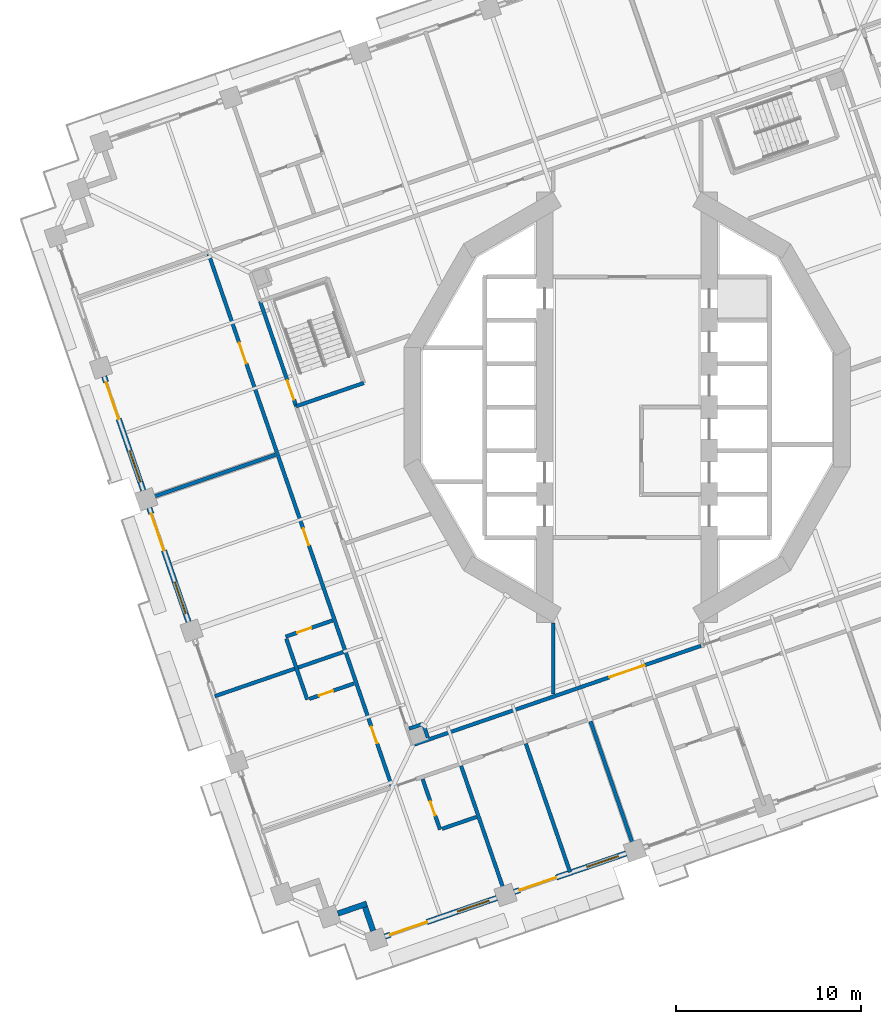
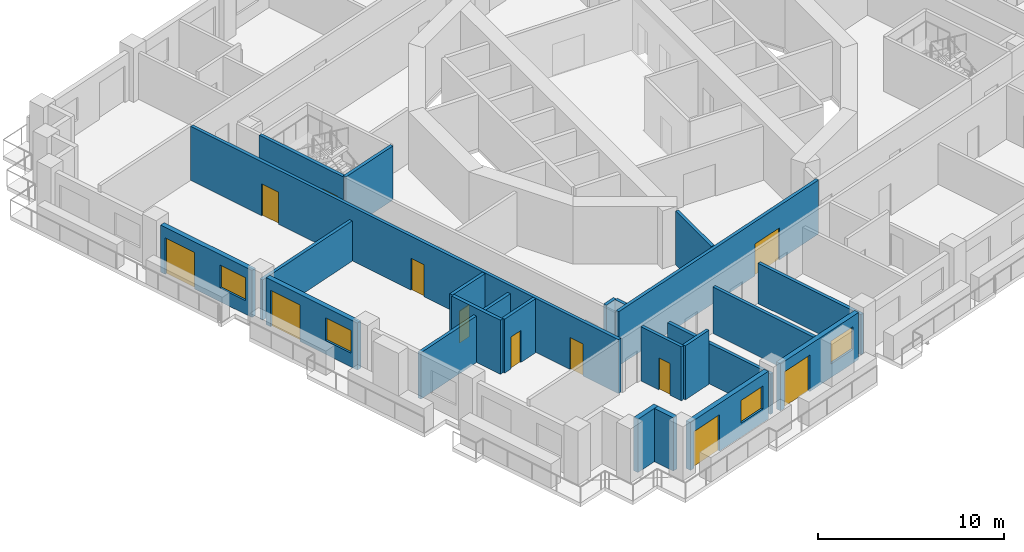
# One storey, part 7 of 19: 23 walls, 12 doors, 4 windows, 16 openings.
"""IFC4 building model written with IfcOpenShell, lengths in metres."""

from ifc_helpers import new_model, si_unit, direction, frame, frame_2d, origin, place, context, subcontext, project, spatial, rectangle, extrude, material, layer, layer_set, type_object, element, fill, save


model = new_model("IFC4")

# Units and contexts
model_context = context("Model", 3, precision=1e-05, world=origin(), true_north=direction((0.0, 1.0)))
body_context = subcontext(model_context, "Body", "Model", "MODEL_VIEW")
ifc_project = project(units=[si_unit("LENGTHUNIT", "METRE"), si_unit("AREAUNIT", "SQUARE_METRE"), si_unit("VOLUMEUNIT", "CUBIC_METRE"), si_unit("PLANEANGLEUNIT", "RADIAN"), si_unit("MASSUNIT", "GRAM", prefix="KILO")], contexts=[model_context])

# Site, building, storey
site_placement = place(None, origin())
site = spatial("IfcSite", under=ifc_project, at=site_placement, CompositionType="ELEMENT")
building_placement = place(site_placement, origin())
building = spatial("IfcBuilding", under=site, at=building_placement, Name="Cantera Rosa Tower", CompositionType="ELEMENT")
storey_placement = place(building_placement, frame((0.0, 0.0, 130.699951171875)))
storey = spatial("IfcBuildingStorey", under=building, at=storey_placement, Name="L27", CompositionType="ELEMENT", Elevation=130.699951171875)

# Wall, openings, doors
ifc_material_1 = material(Name="Gypsum board partition")
ifc_layer_1 = layer(ifc_material_1, 0.199951171875)
ifc_layer_set_1 = layer_set([ifc_layer_1], Name="CORRIDOR WALL 200 H3550")
wall_type_1 = type_object("IfcWallType", Name="CORRIDOR WALL 200 H3550", PredefinedType="PARTITIONING", material=ifc_layer_set_1)
wall_1_placement = place(storey_placement, frame((-22.6298828125, 8.28369140625, 0.0), z_axis=(0.0, 0.0, 1.0), x_axis=(0.325570542196, -0.945517753431, 0.0)))
wall_1 = element("IfcWall", 1, at=wall_1_placement, inside=storey, type_object=wall_type_1, Name="CORRIDOR WALL L27-002", PredefinedType="PARTITIONING", context=body_context, shape_type="SweptSolid", body=[
    extrude(rectangle(XDim=30.5, YDim=0.199951171875, at=frame_2d((15.25, 0.0))), origin(), (0.0, 0.0, 1.0), 3.550048828125),
])
opening_1_placement = place(wall_1_placement, frame((5.070068359375, 0.0, 0.0)))
opening_1 = element("IfcOpeningElement", 2, at=opening_1_placement, cuts=wall_1, Name="Opening L27-027", PredefinedType="OPENING", context=body_context, shape_type="SweptSolid", body=[
    extrude(rectangle(XDim=1.199951171875, YDim=2.10009765625, at=frame_2d((0.60009765625, 1.050048828125))), frame((0.0, 0.10986328125, 0.0), z_axis=(0.0, -1.0, 0.0), x_axis=(1.0, 0.0, 0.0)), (0.0, 0.0, 1.0), 0.219970703125),
])
opening_2_placement = place(wall_1_placement, frame((15.705078125, 0.0, 0.0)))
opening_2 = element("IfcOpeningElement", 3, at=opening_2_placement, cuts=wall_1, Name="Opening L27-028", PredefinedType="OPENING", context=body_context, shape_type="SweptSolid", body=[
    extrude(rectangle(XDim=0.949951171875, YDim=2.10009765625, at=frame_2d((0.47509765625, 1.050048828125))), frame((0.0, 0.10986328125, 0.0), z_axis=(0.0, -1.0, 0.0), x_axis=(1.0, 0.0, 0.0)), (0.0, 0.0, 1.0), 0.219970703125),
])
opening_3_placement = place(wall_1_placement, frame((27.034912109375, 0.0, 0.0)))
opening_3 = element("IfcOpeningElement", 4, at=opening_3_placement, cuts=wall_1, Name="Opening L27-030", PredefinedType="OPENING", context=body_context, shape_type="SweptSolid", body=[
    extrude(rectangle(XDim=0.949951171875, YDim=2.10009765625, at=frame_2d((0.47509765625, 1.050048828125))), frame((0.0, 0.10986328125, 0.0), z_axis=(0.0, -1.0, 0.0), x_axis=(1.0, 0.0, 0.0)), (0.0, 0.0, 1.0), 0.219970703125),
])
ifc_material_2 = material(Name="Timber door leaf", Category="wood")
door_type_1 = type_object("IfcDoorType", Name="ROOM DOOR 1200x2100", OperationType="NOTDEFINED", PredefinedType="DOOR", material=ifc_material_2)
door_1_placement = place(opening_1_placement, origin())
door_1 = element("IfcDoor", 5, at=door_1_placement, inside=storey, type_object=door_type_1, Name="DOOR L27-027", OperationType="NOTDEFINED", OverallHeight=2.10009765625, OverallWidth=1.199951171875, PredefinedType="DOOR", context=body_context, shape_type="SweptSolid", body=[
    extrude(rectangle(XDim=1.199951171875, YDim=2.10009765625, at=frame_2d((0.60009765625, 1.050048828125))), frame((0.0, 0.02490234375, 0.0), z_axis=(0.0, -1.0, 0.0), x_axis=(1.0, 0.0, 0.0)), (0.0, 0.0, 1.0), 0.050048828125),
])
fill(opening_1, door_1)
ifc_material_3 = material(Name="Timber door leaf", Category="wood")
door_type_2 = type_object("IfcDoorType", Name="ROOM DOOR 950x2100", OperationType="NOTDEFINED", PredefinedType="DOOR", material=ifc_material_3)
door_2_placement = place(opening_2_placement, origin())
door_2 = element("IfcDoor", 6, at=door_2_placement, inside=storey, type_object=door_type_2, Name="DOOR L27-028", OperationType="NOTDEFINED", OverallHeight=2.10009765625, OverallWidth=0.949951171875, PredefinedType="DOOR", context=body_context, shape_type="SweptSolid", body=[
    extrude(rectangle(XDim=0.949951171875, YDim=2.10009765625, at=frame_2d((0.47509765625, 1.050048828125))), frame((0.0, 0.02490234375, 0.0), z_axis=(0.0, -1.0, 0.0), x_axis=(1.0, 0.0, 0.0)), (0.0, 0.0, 1.0), 0.050048828125),
])
fill(opening_2, door_2)
door_3_placement = place(opening_3_placement, origin())
door_3 = element("IfcDoor", 7, at=door_3_placement, inside=storey, type_object=door_type_2, Name="DOOR L27-030", OperationType="NOTDEFINED", OverallHeight=2.10009765625, OverallWidth=0.949951171875, PredefinedType="DOOR", context=body_context, shape_type="SweptSolid", body=[
    extrude(rectangle(XDim=0.949951171875, YDim=2.10009765625, at=frame_2d((0.47509765625, 1.050048828125))), frame((0.0, 0.02490234375, 0.0), z_axis=(0.0, -1.0, 0.0), x_axis=(1.0, 0.0, 0.0)), (0.0, 0.0, 1.0), 0.050048828125),
])
fill(opening_3, door_3)

# Wall, opening, door
wall_2_placement = place(storey_placement, frame((-11.489501953125, -18.23388671875, 0.0), z_axis=(0.0, 0.0, 1.0), x_axis=(0.945522545762, 0.325556624039, 0.0)))
wall_2 = element("IfcWall", 8, at=wall_2_placement, inside=storey, type_object=wall_type_1, Name="CORRIDOR WALL L27-023", PredefinedType="PARTITIONING", context=body_context, shape_type="SweptSolid", body=[
    extrude(rectangle(XDim=16.3818359375, YDim=0.199951171875, at=frame_2d((8.19091796875, 0.0))), origin(), (0.0, 0.0, 1.0), 3.550048828125),
])
opening_4_placement = place(wall_2_placement, frame((11.151611328125, 0.0, 0.0)))
opening_4 = element("IfcOpeningElement", 9, at=opening_4_placement, cuts=wall_2, Name="Opening L27-011", PredefinedType="OPENING", context=body_context, shape_type="SweptSolid", body=[
    extrude(rectangle(XDim=2.0, YDim=2.10009765625, at=frame_2d((1.0, 1.050048828125))), frame((0.0, 0.10986328125, 0.0), z_axis=(0.0, -1.0, 0.0), x_axis=(1.0, 0.0, 0.0)), (0.0, 0.0, 1.0), 0.219970703125),
])
ifc_material_4 = material(Name="Steel S355J2 (EN 10025-2)", Category="steel")
door_type_3 = type_object("IfcDoorType", Name="LOBBY SCREEN DOOR 2000x2100", OperationType="NOTDEFINED", PredefinedType="DOOR", material=ifc_material_4)
door_4_placement = place(opening_4_placement, origin())
door_4 = element("IfcDoor", 10, at=door_4_placement, inside=storey, type_object=door_type_3, Name="DOOR L27-011", OperationType="NOTDEFINED", OverallHeight=2.10009765625, OverallWidth=2.0, PredefinedType="DOOR", context=body_context, shape_type="SweptSolid", body=[
    extrude(rectangle(XDim=2.0, YDim=2.10009765625, at=frame_2d((1.0, 1.050048828125))), frame((0.0, 0.02490234375, 0.0), z_axis=(0.0, -1.0, 0.0), x_axis=(1.0, 0.0, 0.0)), (0.0, 0.0, 1.0), 0.050048828125),
])
fill(opening_4, door_4)

# Walls
wall_3_placement = place(storey_placement, frame((-4.0, -11.667236328125, 0.0), z_axis=(0.0, 0.0, 1.0), x_axis=(0.0, -1.0, 0.0)))
element("IfcWall", 11, at=wall_3_placement, inside=storey, type_object=wall_type_1, Name="CORRIDOR WALL L27-042", PredefinedType="PARTITIONING", context=body_context, shape_type="SweptSolid", body=[
    extrude(rectangle(XDim=3.847900390625, YDim=0.199951171875, at=frame_2d((1.923828125, 0.0))), origin(), (0.0, 0.0, 1.0), 3.550048828125),
])
ifc_material_5 = material(Name="Hollow clay masonry with cantera stone cladding", Category="masonry")
ifc_layer_2 = layer(ifc_material_5, 0.300048828125)
ifc_layer_set_2 = layer_set([ifc_layer_2], Name="EW-LOGGIA 300")
wall_type_2 = type_object("IfcWallType", Name="EW-LOGGIA 300", PredefinedType="SOLIDWALL", material=ifc_layer_set_2)
wall_4_placement = place(storey_placement, frame((-15.636962890625, -27.3828125, 0.0), z_axis=(0.0, 0.0, 1.0), x_axis=(0.945484566827, 0.325666906351, 0.0)))
element("IfcWall", 12, at=wall_4_placement, inside=storey, type_object=wall_type_2, Name="EN-L27-W22a", PredefinedType="SOLIDWALL", context=body_context, shape_type="SweptSolid", body=[
    extrude(rectangle(XDim=1.64990234375, YDim=0.300048828125, at=frame_2d((0.824951171875, 0.0))), origin(), (0.0, 0.0, 1.0), 3.5),
])
wall_5_placement = place(storey_placement, frame((-14.169921875, -27.0361328125, 0.0), z_axis=(0.0, 0.0, 1.0), x_axis=(0.325650742363, -0.945490134268, 0.0)))
element("IfcWall", 13, at=wall_5_placement, inside=storey, type_object=wall_type_2, Name="EN-L27-W22b", PredefinedType="SOLIDWALL", context=body_context, shape_type="SweptSolid", body=[
    extrude(rectangle(XDim=1.35009765625, YDim=0.300048828125, at=frame_2d((0.675048828125, 0.0))), origin(), (0.0, 0.0, 1.0), 3.5),
])

# Wall, openings, window, door
ifc_material_6 = material(Name="Hollow clay masonry with cantera stone cladding", Category="masonry")
ifc_layer_3 = layer(ifc_material_6, 0.300048828125)
ifc_layer_set_3 = layer_set([ifc_layer_3], Name="EW-LOGGIA 300 H3090")
wall_type_3 = type_object("IfcWallType", Name="EW-LOGGIA 300 H3090", PredefinedType="SOLIDWALL", material=ifc_layer_set_3)
wall_6_placement = place(storey_placement, frame((-28.2822265625, 1.662841796875, 0.0), z_axis=(0.0, 0.0, 1.0), x_axis=(0.325580990241, -0.945514155787, 0.0)))
wall_6 = element("IfcWall", 14, at=wall_6_placement, inside=storey, type_object=wall_type_3, Name="EN-L27-W17", PredefinedType="SOLIDWALL", context=body_context, shape_type="SweptSolid", body=[
    extrude(rectangle(XDim=6.52001953125, YDim=0.300048828125, at=frame_2d((3.260009765625, 0.0))), origin(), (0.0, 0.0, 1.0), 3.090087890625),
])
opening_5_placement = place(wall_6_placement, frame((0.330078125, 0.0, 0.0)))
opening_5 = element("IfcOpeningElement", 15, at=opening_5_placement, cuts=wall_6, Name="Opening L27-TD21", PredefinedType="OPENING", context=body_context, shape_type="SweptSolid", body=[
    extrude(rectangle(XDim=2.10009765625, YDim=2.39990234375, at=frame_2d((1.050048828125, 1.199951171875))), frame((0.0, 0.159912109375, 0.0), z_axis=(0.0, -1.0, 0.0), x_axis=(1.0, 0.0, 0.0)), (0.0, 0.0, 1.0), 0.320068359375),
])
opening_6_placement = place(wall_6_placement, frame((4.239990234375, 0.0, 0.89990234375)))
opening_6 = element("IfcOpeningElement", 16, at=opening_6_placement, cuts=wall_6, Name="Opening L27-W22", PredefinedType="OPENING", context=body_context, shape_type="SweptSolid", body=[
    extrude(rectangle(XDim=1.800048828125, YDim=1.5, at=frame_2d((0.89990234375, 0.75))), frame((0.0, 0.159912109375, 0.0), z_axis=(0.0, -1.0, 0.0), x_axis=(1.0, 0.0, 0.0)), (0.0, 0.0, 1.0), 0.320068359375),
])
ifc_material_7 = material(Name="Aluminium frame with clear glass", Category="aluminium")
window_type = type_object("IfcWindowType", Name="Hotel room window 1800x1500", PartitioningType="DOUBLE_PANEL_VERTICAL", PredefinedType="WINDOW", material=ifc_material_7)
window_1_placement = place(opening_6_placement, origin())
window_1 = element("IfcWindow", 17, at=window_1_placement, inside=storey, type_object=window_type, Name="WINDOW L27-W22", OverallHeight=1.5, OverallWidth=1.800048828125, PartitioningType="SINGLE_PANEL", PredefinedType="WINDOW", context=body_context, shape_type="SweptSolid", body=[
    extrude(rectangle(XDim=1.800048828125, YDim=1.5, at=frame_2d((0.89990234375, 0.75))), frame((0.0, 0.030029296875, 0.0), z_axis=(0.0, -1.0, 0.0), x_axis=(1.0, 0.0, 0.0)), (0.0, 0.0, 1.0), 0.06005859375),
])
fill(opening_6, window_1)
ifc_material_8 = material(Name="Aluminium frame with clear glass", Category="aluminium")
door_type_4 = type_object("IfcDoorType", Name="TD-H 2100x2400", OperationType="NOTDEFINED", PredefinedType="DOOR", material=ifc_material_8)
door_5_placement = place(opening_5_placement, origin())
door_5 = element("IfcDoor", 18, at=door_5_placement, inside=storey, type_object=door_type_4, Name="LOGGIA DOOR L27-TD21", OperationType="SLIDING_TO_LEFT", OverallHeight=2.39990234375, OverallWidth=2.10009765625, PredefinedType="DOOR", context=body_context, shape_type="SweptSolid", body=[
    extrude(rectangle(XDim=2.10009765625, YDim=2.39990234375, at=frame_2d((1.050048828125, 1.199951171875))), frame((0.0, 0.02490234375, 0.0), z_axis=(0.0, -1.0, 0.0), x_axis=(1.0, 0.0, 0.0)), (0.0, 0.0, 1.0), 0.050048828125),
])
fill(opening_5, door_5)

wall_7_placement = place(storey_placement, frame((-25.833984375, -5.447509765625, 0.0), z_axis=(0.0, 0.0, 1.0), x_axis=(0.325580990241, -0.945514155787, 0.0)))
wall_7 = element("IfcWall", 19, at=wall_7_placement, inside=storey, type_object=wall_type_3, Name="EN-L27-W18", PredefinedType="SOLIDWALL", context=body_context, shape_type="SweptSolid", body=[
    extrude(rectangle(XDim=6.52001953125, YDim=0.300048828125, at=frame_2d((3.260009765625, 0.0))), origin(), (0.0, 0.0, 1.0), 3.090087890625),
])
opening_7_placement = place(wall_7_placement, frame((0.330078125, 0.0, 0.0)))
opening_7 = element("IfcOpeningElement", 20, at=opening_7_placement, cuts=wall_7, Name="Opening L27-TD23", PredefinedType="OPENING", context=body_context, shape_type="SweptSolid", body=[
    extrude(rectangle(XDim=2.10009765625, YDim=2.39990234375, at=frame_2d((1.050048828125, 1.199951171875))), frame((0.0, 0.159912109375, 0.0), z_axis=(0.0, -1.0, 0.0), x_axis=(1.0, 0.0, 0.0)), (0.0, 0.0, 1.0), 0.320068359375),
])
opening_8_placement = place(wall_7_placement, frame((4.239990234375, 0.0, 0.89990234375)))
opening_8 = element("IfcOpeningElement", 21, at=opening_8_placement, cuts=wall_7, Name="Opening L27-W24", PredefinedType="OPENING", context=body_context, shape_type="SweptSolid", body=[
    extrude(rectangle(XDim=1.800048828125, YDim=1.5, at=frame_2d((0.89990234375, 0.75))), frame((0.0, 0.159912109375, 0.0), z_axis=(0.0, -1.0, 0.0), x_axis=(1.0, 0.0, 0.0)), (0.0, 0.0, 1.0), 0.320068359375),
])
window_2_placement = place(opening_8_placement, origin())
window_2 = element("IfcWindow", 22, at=window_2_placement, inside=storey, type_object=window_type, Name="WINDOW L27-W24", OverallHeight=1.5, OverallWidth=1.800048828125, PartitioningType="SINGLE_PANEL", PredefinedType="WINDOW", context=body_context, shape_type="SweptSolid", body=[
    extrude(rectangle(XDim=1.800048828125, YDim=1.5, at=frame_2d((0.89990234375, 0.75))), frame((0.0, 0.030029296875, 0.0), z_axis=(0.0, -1.0, 0.0), x_axis=(1.0, 0.0, 0.0)), (0.0, 0.0, 1.0), 0.06005859375),
])
fill(opening_8, window_2)
door_6_placement = place(opening_7_placement, origin())
door_6 = element("IfcDoor", 23, at=door_6_placement, inside=storey, type_object=door_type_4, Name="LOGGIA DOOR L27-TD23", OperationType="SLIDING_TO_LEFT", OverallHeight=2.39990234375, OverallWidth=2.10009765625, PredefinedType="DOOR", context=body_context, shape_type="SweptSolid", body=[
    extrude(rectangle(XDim=2.10009765625, YDim=2.39990234375, at=frame_2d((1.050048828125, 1.199951171875))), frame((0.0, 0.02490234375, 0.0), z_axis=(0.0, -1.0, 0.0), x_axis=(1.0, 0.0, 0.0)), (0.0, 0.0, 1.0), 0.050048828125),
])
fill(opening_7, door_6)

wall_8_placement = place(storey_placement, frame((-6.097900390625, -26.21337890625, 0.0), z_axis=(0.0, 0.0, 1.0), x_axis=(0.945524496524, 0.325550958337, 0.0)))
wall_8 = element("IfcWall", 24, at=wall_8_placement, inside=storey, type_object=wall_type_3, Name="EN-L27-W24", PredefinedType="SOLIDWALL", context=body_context, shape_type="SweptSolid", body=[
    extrude(rectangle(XDim=6.39990234375, YDim=0.300048828125, at=frame_2d((3.199951171875, 0.0))), origin(), (0.0, 0.0, 1.0), 3.090087890625),
])
opening_9_placement = place(wall_8_placement, frame((0.300048828125, 0.0, 0.0)))
opening_9 = element("IfcOpeningElement", 25, at=opening_9_placement, cuts=wall_8, Name="Opening L27-TD31", PredefinedType="OPENING", context=body_context, shape_type="SweptSolid", body=[
    extrude(rectangle(XDim=2.10009765625, YDim=2.39990234375, at=frame_2d((1.050048828125, 1.199951171875))), frame((0.0, 0.159912109375, 0.0), z_axis=(0.0, -1.0, 0.0), x_axis=(1.0, 0.0, 0.0)), (0.0, 0.0, 1.0), 0.320068359375),
])
opening_10_placement = place(wall_8_placement, frame((4.14990234375, 0.0, 0.89990234375)))
opening_10 = element("IfcOpeningElement", 26, at=opening_10_placement, cuts=wall_8, Name="Opening L27-W32", PredefinedType="OPENING", context=body_context, shape_type="SweptSolid", body=[
    extrude(rectangle(XDim=1.800048828125, YDim=1.5, at=frame_2d((0.89990234375, 0.75))), frame((0.0, 0.159912109375, 0.0), z_axis=(0.0, -1.0, 0.0), x_axis=(1.0, 0.0, 0.0)), (0.0, 0.0, 1.0), 0.320068359375),
])
window_3_placement = place(opening_10_placement, origin())
window_3 = element("IfcWindow", 27, at=window_3_placement, inside=storey, type_object=window_type, Name="WINDOW L27-W32", OverallHeight=1.5, OverallWidth=1.800048828125, PartitioningType="SINGLE_PANEL", PredefinedType="WINDOW", context=body_context, shape_type="SweptSolid", body=[
    extrude(rectangle(XDim=1.800048828125, YDim=1.5, at=frame_2d((0.89990234375, 0.75))), frame((0.0, 0.030029296875, 0.0), z_axis=(0.0, -1.0, 0.0), x_axis=(1.0, 0.0, 0.0)), (0.0, 0.0, 1.0), 0.06005859375),
])
fill(opening_10, window_3)
door_7_placement = place(opening_9_placement, origin())
door_7 = element("IfcDoor", 28, at=door_7_placement, inside=storey, type_object=door_type_4, Name="LOGGIA DOOR L27-TD31", OperationType="SLIDING_TO_LEFT", OverallHeight=2.39990234375, OverallWidth=2.10009765625, PredefinedType="DOOR", context=body_context, shape_type="SweptSolid", body=[
    extrude(rectangle(XDim=2.10009765625, YDim=2.39990234375, at=frame_2d((1.050048828125, 1.199951171875))), frame((0.0, 0.02490234375, 0.0), z_axis=(0.0, -1.0, 0.0), x_axis=(1.0, 0.0, 0.0)), (0.0, 0.0, 1.0), 0.050048828125),
])
fill(opening_9, door_7)

ifc_material_9 = material(Name="Hollow clay masonry with cantera stone cladding", Category="masonry")
ifc_layer_4 = layer(ifc_material_9, 0.300048828125)
ifc_layer_set_4 = layer_set([ifc_layer_4], Name="EW-LOGGIA 300 H3140")
wall_type_4 = type_object("IfcWallType", Name="EW-LOGGIA 300 H3140", PredefinedType="SOLIDWALL", material=ifc_layer_set_4)
wall_9_placement = place(storey_placement, frame((-13.0947265625, -28.62255859375, 0.0), z_axis=(0.0, 0.0, 1.0), x_axis=(0.945524496524, 0.325550958337, 0.0)))
wall_9 = element("IfcWall", 29, at=wall_9_placement, inside=storey, type_object=wall_type_4, Name="EN-L27-W23", PredefinedType="SOLIDWALL", context=body_context, shape_type="SweptSolid", body=[
    extrude(rectangle(XDim=6.39990234375, YDim=0.300048828125, at=frame_2d((3.199951171875, 0.0))), origin(), (0.0, 0.0, 1.0), 3.14013671875),
])
opening_11_placement = place(wall_9_placement, frame((0.300048828125, 0.0, 0.0)))
opening_11 = element("IfcOpeningElement", 30, at=opening_11_placement, cuts=wall_9, Name="Opening L27-TD29", PredefinedType="OPENING", context=body_context, shape_type="SweptSolid", body=[
    extrude(rectangle(XDim=2.10009765625, YDim=2.39990234375, at=frame_2d((1.050048828125, 1.199951171875))), frame((0.0, 0.159912109375, 0.0), z_axis=(0.0, -1.0, 0.0), x_axis=(1.0, 0.0, 0.0)), (0.0, 0.0, 1.0), 0.320068359375),
])
opening_12_placement = place(wall_9_placement, frame((4.14990234375, 0.0, 0.89990234375)))
opening_12 = element("IfcOpeningElement", 31, at=opening_12_placement, cuts=wall_9, Name="Opening L27-W30", PredefinedType="OPENING", context=body_context, shape_type="SweptSolid", body=[
    extrude(rectangle(XDim=1.800048828125, YDim=1.5, at=frame_2d((0.89990234375, 0.75))), frame((0.0, 0.159912109375, 0.0), z_axis=(0.0, -1.0, 0.0), x_axis=(1.0, 0.0, 0.0)), (0.0, 0.0, 1.0), 0.320068359375),
])
window_4_placement = place(opening_12_placement, origin())
window_4 = element("IfcWindow", 32, at=window_4_placement, inside=storey, type_object=window_type, Name="WINDOW L27-W30", OverallHeight=1.5, OverallWidth=1.800048828125, PartitioningType="SINGLE_PANEL", PredefinedType="WINDOW", context=body_context, shape_type="SweptSolid", body=[
    extrude(rectangle(XDim=1.800048828125, YDim=1.5, at=frame_2d((0.89990234375, 0.75))), frame((0.0, 0.030029296875, 0.0), z_axis=(0.0, -1.0, 0.0), x_axis=(1.0, 0.0, 0.0)), (0.0, 0.0, 1.0), 0.06005859375),
])
fill(opening_12, window_4)
door_8_placement = place(opening_11_placement, origin())
door_8 = element("IfcDoor", 33, at=door_8_placement, inside=storey, type_object=door_type_4, Name="LOGGIA DOOR L27-TD29", OperationType="SLIDING_TO_LEFT", OverallHeight=2.39990234375, OverallWidth=2.10009765625, PredefinedType="DOOR", context=body_context, shape_type="SweptSolid", body=[
    extrude(rectangle(XDim=2.10009765625, YDim=2.39990234375, at=frame_2d((1.050048828125, 1.199951171875))), frame((0.0, 0.02490234375, 0.0), z_axis=(0.0, -1.0, 0.0), x_axis=(1.0, 0.0, 0.0)), (0.0, 0.0, 1.0), 0.050048828125),
])
fill(opening_11, door_8)

# Walls
ifc_material_10 = material(Name="Gypsum board partition")
ifc_layer_5 = layer(ifc_material_10, 0.199951171875)
ifc_layer_set_5 = layer_set([ifc_layer_5], Name="PARTITION 200 H2650")
wall_type_5 = type_object("IfcWallType", Name="PARTITION 200 H2650", PredefinedType="PARTITIONING", material=ifc_layer_set_5)
wall_10_placement = place(storey_placement, frame((-1.9765625, -16.989013671875, 0.0), z_axis=(0.0, 0.0, 1.0), x_axis=(0.325549451152, -0.945525015457, 0.0)))
element("IfcWall", 34, at=wall_10_placement, inside=storey, type_object=wall_type_5, Name="PARTITION L27-045", PredefinedType="PARTITIONING", context=body_context, shape_type="SweptSolid", body=[
    extrude(rectangle(XDim=7.35009765625, YDim=0.199951171875, at=frame_2d((3.675048828125, 0.0))), origin(), (0.0, 0.0, 1.0), 2.650146484375),
])
ifc_material_11 = material(Name="Gypsum board partition")
ifc_layer_6 = layer(ifc_material_11, 0.199951171875)
ifc_layer_set_6 = layer_set([ifc_layer_6], Name="PARTITION 200 H3050")
wall_type_6 = type_object("IfcWallType", Name="PARTITION 200 H3050", PredefinedType="PARTITIONING", material=ifc_layer_set_6)
wall_11_placement = place(storey_placement, frame((-5.47509765625, -18.193603515625, 0.0), z_axis=(0.0, 0.0, 1.0), x_axis=(0.325579146306, -0.945514790731, 0.0)))
element("IfcWall", 35, at=wall_11_placement, inside=storey, type_object=wall_type_6, Name="PARTITION L27-040", PredefinedType="PARTITIONING", context=body_context, shape_type="SweptSolid", body=[
    extrude(rectangle(XDim=7.35009765625, YDim=0.199951171875, at=frame_2d((3.675048828125, 0.0))), origin(), (0.0, 0.0, 1.0), 3.050048828125),
])

# Wall, opening, door
ifc_material_12 = material(Name="Gypsum board partition")
ifc_layer_7 = layer(ifc_material_12, 0.199951171875)
ifc_layer_set_7 = layer_set([ifc_layer_7], Name="PARTITION 200 H3550")
wall_type_7 = type_object("IfcWallType", Name="PARTITION 200 H3550", PredefinedType="PARTITIONING", material=ifc_layer_set_7)
wall_12_placement = place(storey_placement, frame((-18.46630859375, -12.408203125, 0.0), z_axis=(0.0, 0.0, 1.0), x_axis=(0.94551230217, 0.325586373249, 0.0)))
wall_12 = element("IfcWall", 36, at=wall_12_placement, inside=storey, type_object=wall_type_7, Name="PARTITION L27-010", PredefinedType="PARTITIONING", context=body_context, shape_type="SweptSolid", body=[
    extrude(rectangle(XDim=2.679931640625, YDim=0.199951171875, at=frame_2d((1.33984375, 0.0))), origin(), (0.0, 0.0, 1.0), 3.550048828125),
])
opening_13_placement = place(wall_12_placement, frame((0.6640625, 0.0, 0.0)))
opening_13 = element("IfcOpeningElement", 37, at=opening_13_placement, cuts=wall_12, Name="Opening L27-029", PredefinedType="OPENING", context=body_context, shape_type="SweptSolid", body=[
    extrude(rectangle(XDim=0.800048828125, YDim=2.10009765625, at=frame_2d((0.39990234375, 1.050048828125))), frame((0.0, 0.10986328125, 0.0), z_axis=(0.0, -1.0, 0.0), x_axis=(1.0, 0.0, 0.0)), (0.0, 0.0, 1.0), 0.219970703125),
])
ifc_material_13 = material(Name="Timber door leaf", Category="wood")
door_type_5 = type_object("IfcDoorType", Name="BATHROOM DOOR 800x2100", OperationType="NOTDEFINED", PredefinedType="DOOR", material=ifc_material_13)
door_9_placement = place(opening_13_placement, origin())
door_9 = element("IfcDoor", 38, at=door_9_placement, inside=storey, type_object=door_type_5, Name="DOOR L27-029", OperationType="NOTDEFINED", OverallHeight=2.10009765625, OverallWidth=0.800048828125, PredefinedType="DOOR", context=body_context, shape_type="SweptSolid", body=[
    extrude(rectangle(XDim=0.800048828125, YDim=2.10009765625, at=frame_2d((0.39990234375, 1.050048828125))), frame((0.0, 0.02490234375, 0.0), z_axis=(0.0, -1.0, 0.0), x_axis=(1.0, 0.0, 0.0)), (0.0, 0.0, 1.0), 0.050048828125),
])
fill(opening_13, door_9)

# Wall
wall_13_placement = place(storey_placement, frame((-17.29443359375, -15.81201171875, 0.0), z_axis=(0.0, 0.0, 1.0), x_axis=(-0.325514995811, 0.945536877918, 0.0)))
element("IfcWall", 39, at=wall_13_placement, inside=storey, type_object=wall_type_7, Name="PARTITION L27-015", PredefinedType="PARTITIONING", context=body_context, shape_type="SweptSolid", body=[
    extrude(rectangle(XDim=3.47998046875, YDim=0.199951171875, at=frame_2d((1.739990234375, 0.0))), origin(), (0.0, 0.0, 1.0), 3.550048828125),
])

# Wall, opening, door
wall_14_placement = place(storey_placement, frame((-14.760498046875, -14.939453125, 0.0), z_axis=(0.0, 0.0, 1.0), x_axis=(-0.9455087096, -0.325596805989, 0.0)))
wall_14 = element("IfcWall", 40, at=wall_14_placement, inside=storey, type_object=wall_type_7, Name="PARTITION L27-019", PredefinedType="PARTITIONING", context=body_context, shape_type="SweptSolid", body=[
    extrude(rectangle(XDim=2.559814453125, YDim=0.199951171875, at=frame_2d((1.27978515625, 0.0))), origin(), (0.0, 0.0, 1.0), 3.550048828125),
])
opening_14_placement = place(wall_14_placement, frame((1.216064453125, 0.0, 0.0)))
opening_14 = element("IfcOpeningElement", 41, at=opening_14_placement, cuts=wall_14, Name="Opening L27-031", PredefinedType="OPENING", context=body_context, shape_type="SweptSolid", body=[
    extrude(rectangle(XDim=0.800048828125, YDim=2.10009765625, at=frame_2d((0.39990234375, 1.050048828125))), frame((0.0, 0.10986328125, 0.0), z_axis=(0.0, -1.0, 0.0), x_axis=(1.0, 0.0, 0.0)), (0.0, 0.0, 1.0), 0.219970703125),
])
door_10_placement = place(opening_14_placement, origin())
door_10 = element("IfcDoor", 42, at=door_10_placement, inside=storey, type_object=door_type_5, Name="DOOR L27-031", OperationType="NOTDEFINED", OverallHeight=2.10009765625, OverallWidth=0.800048828125, PredefinedType="DOOR", context=body_context, shape_type="SweptSolid", body=[
    extrude(rectangle(XDim=0.800048828125, YDim=2.10009765625, at=frame_2d((0.39990234375, 1.050048828125))), frame((0.0, 0.02490234375, 0.0), z_axis=(0.0, -1.0, 0.0), x_axis=(1.0, 0.0, 0.0)), (0.0, 0.0, 1.0), 0.050048828125),
])
fill(opening_14, door_10)

# Walls
wall_15_placement = place(storey_placement, frame((-11.026123046875, -17.12255859375, 0.0), z_axis=(0.0, 0.0, 1.0), x_axis=(-0.945525269499, -0.325548713312, 0.0)))
element("IfcWall", 43, at=wall_15_placement, inside=storey, type_object=wall_type_7, Name="PARTITION L27-024", PredefinedType="PARTITIONING", context=body_context, shape_type="SweptSolid", body=[
    extrude(rectangle(XDim=0.80029296875, YDim=0.199951171875, at=frame_2d((0.400146484375, 0.0))), origin(), (0.0, 0.0, 1.0), 3.550048828125),
])
wall_16_placement = place(storey_placement, frame((-10.772216796875, -17.860107421875, 0.0), z_axis=(0.0, 0.0, 1.0), x_axis=(-0.325691873105, 0.945475966798, 0.0)))
element("IfcWall", 44, at=wall_16_placement, inside=storey, type_object=wall_type_7, Name="PARTITION L27-027", PredefinedType="PARTITIONING", context=body_context, shape_type="SweptSolid", body=[
    extrude(rectangle(XDim=0.679931640625, YDim=0.199951171875, at=frame_2d((0.33984375, 0.0))), origin(), (0.0, 0.0, 1.0), 3.550048828125),
])

# Wall, opening, door
wall_17_placement = place(storey_placement, frame((-10.115966796875, -22.837646484375, 0.0), z_axis=(0.0, 0.0, 1.0), x_axis=(-0.325596179186, 0.945508925447, 0.0)))
wall_17 = element("IfcWall", 45, at=wall_17_placement, inside=storey, type_object=wall_type_7, Name="PARTITION L27-030", PredefinedType="PARTITIONING", context=body_context, shape_type="SweptSolid", body=[
    extrude(rectangle(XDim=2.880126953125, YDim=0.199951171875, at=frame_2d((1.43994140625, 0.0))), origin(), (0.0, 0.0, 1.0), 3.550048828125),
])
opening_15_placement = place(wall_17_placement, frame((0.800048828125, 0.0, 0.0)))
opening_15 = element("IfcOpeningElement", 46, at=opening_15_placement, cuts=wall_17, Name="Opening L27-041", PredefinedType="OPENING", context=body_context, shape_type="SweptSolid", body=[
    extrude(rectangle(XDim=0.800048828125, YDim=2.10009765625, at=frame_2d((0.39990234375, 1.050048828125))), frame((0.0, 0.10986328125, 0.0), z_axis=(0.0, -1.0, 0.0), x_axis=(1.0, 0.0, 0.0)), (0.0, 0.0, 1.0), 0.219970703125),
])
door_11_placement = place(opening_15_placement, origin())
door_11 = element("IfcDoor", 47, at=door_11_placement, inside=storey, type_object=door_type_5, Name="DOOR L27-041", OperationType="NOTDEFINED", OverallHeight=2.10009765625, OverallWidth=0.800048828125, PredefinedType="DOOR", context=body_context, shape_type="SweptSolid", body=[
    extrude(rectangle(XDim=0.800048828125, YDim=2.10009765625, at=frame_2d((0.39990234375, 1.050048828125))), frame((0.0, 0.02490234375, 0.0), z_axis=(0.0, -1.0, 0.0), x_axis=(1.0, 0.0, 0.0)), (0.0, 0.0, 1.0), 0.050048828125),
])
fill(opening_15, door_11)

# Walls
wall_18_placement = place(storey_placement, frame((-8.149169921875, -22.160400390625, 0.0), z_axis=(0.0, 0.0, 1.0), x_axis=(-0.945510558394, -0.325591437181, 0.0)))
element("IfcWall", 48, at=wall_18_placement, inside=storey, type_object=wall_type_7, Name="PARTITION L27-031", PredefinedType="PARTITIONING", context=body_context, shape_type="SweptSolid", body=[
    extrude(rectangle(XDim=1.9599609375, YDim=0.199951171875, at=frame_2d((0.97998046875, 0.0))), origin(), (0.0, 0.0, 1.0), 3.550048828125),
])
ifc_material_14 = material(Name="Gypsum board partition")
ifc_layer_8 = layer(ifc_material_14, 0.199951171875)
ifc_layer_set_8 = layer_set([ifc_layer_8], Name="PARTY WALL 200 H2650")
wall_type_8 = type_object("IfcWallType", Name="PARTY WALL 200 H2650", PredefinedType="PARTITIONING", material=ifc_layer_set_8)
for number, where, z_axis, x_axis, name in (
    (49, (-19.018798828125, -2.572021484375, 0.0), (0.0, 0.0, 1.0), (-0.945514790731, -0.325579146306, 0.0), "PARTY WALL L27-009"),
    (50, (-6.58056640625, -26.347900390625, 0.0), (0.0, 0.0, 1.0), (-0.325549451152, 0.945525015457, 0.0), "PARTY WALL L27-039"),
):
    element("IfcWall", number, at=place(storey_placement, frame(where, z_axis=z_axis, x_axis=x_axis)), inside=storey, type_object=wall_type_8, Name=name, PredefinedType="PARTITIONING", context=body_context, shape_type="SweptSolid", body=[
        extrude(rectangle(XDim=7.35009765625, YDim=0.199951171875, at=frame_2d((3.675048828125, 0.0))), origin(), (0.0, 0.0, 1.0), 2.650146484375),
    ])
ifc_material_15 = material(Name="Gypsum board partition")
ifc_layer_9 = layer(ifc_material_15, 0.199951171875)
ifc_layer_set_9 = layer_set([ifc_layer_9], Name="PARTY WALL 200 H3050")
wall_type_9 = type_object("IfcWallType", Name="PARTY WALL 200 H3050", PredefinedType="PARTITIONING", material=ifc_layer_set_9)
wall_19_placement = place(storey_placement, frame((-15.346435546875, -13.237548828125, 0.0), z_axis=(0.0, 0.0, 1.0), x_axis=(-0.945521494984, -0.325559675824, 0.0)))
element("IfcWall", 51, at=wall_19_placement, inside=storey, type_object=wall_type_9, Name="PARTY WALL L27-018", PredefinedType="PARTITIONING", context=body_context, shape_type="SweptSolid", body=[
    extrude(rectangle(XDim=7.349853515625, YDim=0.199951171875, at=frame_2d((3.6748046875, 0.0))), origin(), (0.0, 0.0, 1.0), 3.050048828125),
])

# Wall, opening, door
ifc_material_16 = material(Name="Concrete C50/60", Category="concrete")
ifc_layer_10 = layer(ifc_material_16, 0.199951171875)
ifc_layer_set_10 = layer_set([ifc_layer_10], Name="STAIR WALL 200 H3550")
wall_type_10 = type_object("IfcWallType", Name="STAIR WALL 200 H3550", PredefinedType="SOLIDWALL", material=ifc_layer_set_10)
wall_20_placement = place(storey_placement, frame((-19.844970703125, 5.724365234375, 0.0), z_axis=(0.0, 0.0, 1.0), x_axis=(0.325563034341, -0.945520338581, 0.0)))
wall_20 = element("IfcWall", 52, at=wall_20_placement, inside=storey, type_object=wall_type_10, Name="STAIR WALL L27-005", PredefinedType="SOLIDWALL", context=body_context, shape_type="SweptSolid", body=[
    extrude(rectangle(XDim=6.0, YDim=0.199951171875, at=frame_2d((3.0, 0.0))), origin(), (0.0, 0.0, 1.0), 3.550048828125),
])
opening_16_placement = place(wall_20_placement, frame((4.52490234375, 0.0, 0.0)))
opening_16 = element("IfcOpeningElement", 53, at=opening_16_placement, cuts=wall_20, Name="Opening L27-002", PredefinedType="OPENING", context=body_context, shape_type="SweptSolid", body=[
    extrude(rectangle(XDim=1.10009765625, YDim=2.10009765625, at=frame_2d((0.550048828125, 1.050048828125))), frame((0.0, 0.10986328125, 0.0), z_axis=(0.0, -1.0, 0.0), x_axis=(1.0, 0.0, 0.0)), (0.0, 0.0, 1.0), 0.219970703125),
])
ifc_material_17 = material(Name="Steel S355J2 (EN 10025-2)", Category="steel")
door_type_6 = type_object("IfcDoorType", Name="STAIR DOOR 1100x2100", OperationType="NOTDEFINED", PredefinedType="DOOR", material=ifc_material_17)
door_12_placement = place(opening_16_placement, origin())
door_12 = element("IfcDoor", 54, at=door_12_placement, inside=storey, type_object=door_type_6, Name="DOOR L27-002", OperationType="NOTDEFINED", OverallHeight=2.10009765625, OverallWidth=1.10009765625, PredefinedType="DOOR", context=body_context, shape_type="SweptSolid", body=[
    extrude(rectangle(XDim=1.10009765625, YDim=2.10009765625, at=frame_2d((0.550048828125, 1.050048828125))), frame((0.0, 0.02490234375, 0.0), z_axis=(0.0, -1.0, 0.0), x_axis=(1.0, 0.0, 0.0)), (0.0, 0.0, 1.0), 0.050048828125),
])
fill(opening_16, door_12)

# Wall
wall_21_placement = place(storey_placement, frame((-17.8916015625, 0.05126953125, 0.0), z_axis=(0.0, 0.0, 1.0), x_axis=(0.945514621213, 0.325579638603, 0.0)))
element("IfcWall", 55, at=wall_21_placement, inside=storey, type_object=wall_type_10, Name="STAIR WALL L27-012", PredefinedType="SOLIDWALL", context=body_context, shape_type="SweptSolid", body=[
    extrude(rectangle(XDim=3.862548828125, YDim=0.199951171875, at=frame_2d((1.93115234375, 0.0))), origin(), (0.0, 0.0, 1.0), 3.550048828125),
])

save(model, "model.ifc")
